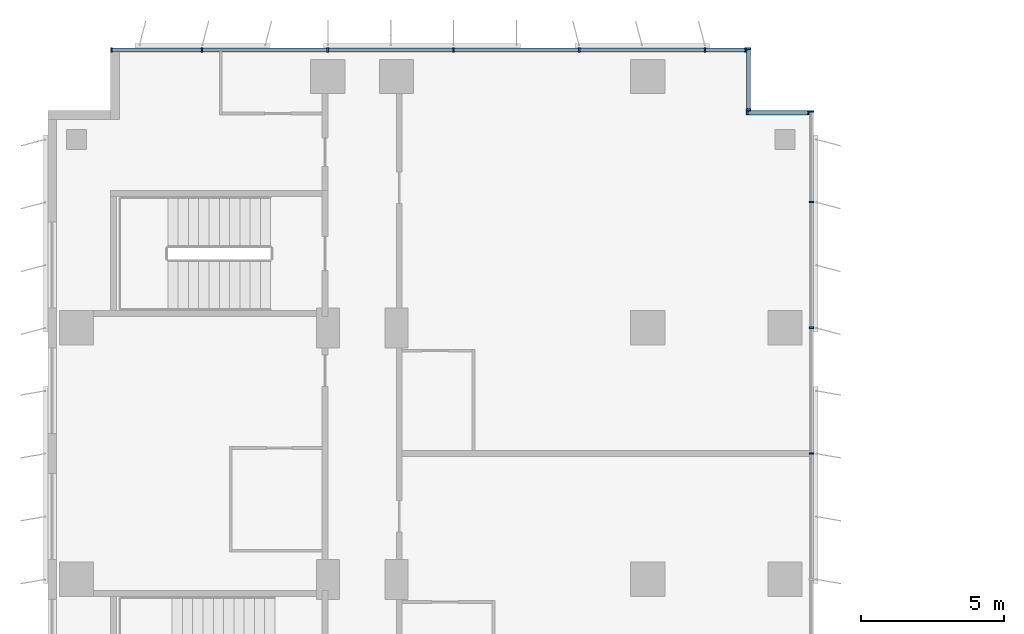
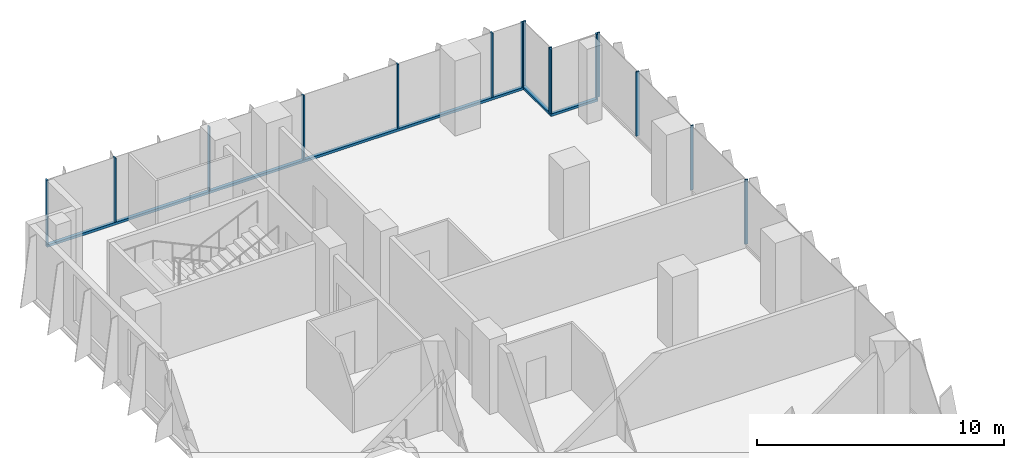
# One storey, part 9 of 22: 18 members, 4 elements without a shape of their own.
"""IFC4 building model written with IfcOpenShell, lengths in metres."""

import ifcopenshell
import ifcopenshell.guid

model = None  # the IFC model being written
_history = None  # IfcOwnerHistory: only IFC2X3 demands one
_inside = {}  # id of a spatial element -> (the spatial element, [elements in it])
_under = {}  # id of a project, library or spatial element -> (it, [spatial elements below it])
_declared = {}  # id of a project -> (the project, [libraries it declares])
_typed = {}  # id of a type object -> (the type object, [elements of that type])
_made_of = {}  # id of a material, layer set ... -> (it, [elements and type objects made of it])


def new_model(schema):
    """Start an empty IFC model of exactly this schema.

    Asked for "IFC4X3", IfcOpenShell would pick the latest addendum, in which some entities
    have other attributes; the version numbers below select the first issue.
    IFC2X3 requires an IfcOwnerHistory on every rooted entity: one is made here for all.
    """
    global model, _history
    if schema == "IFC4X3":
        model = ifcopenshell.file(schema_version=(4, 3, 0, 0))
    else:
        model = ifcopenshell.file(schema=schema)
    _inside.clear()
    _under.clear()
    _declared.clear()
    _typed.clear()
    _made_of.clear()
    _history = None
    if model.schema == "IFC2X3":
        org = make("IfcOrganization", Name="unknown")
        user = make(
            "IfcPersonAndOrganization",
            ThePerson=make("IfcPerson", FamilyName="unknown"),
            TheOrganization=org,
        )
        app = make(
            "IfcApplication",
            ApplicationDeveloper=org,
            Version="unknown",
            ApplicationFullName="unknown",
            ApplicationIdentifier="unknown",
        )
        _history = make(
            "IfcOwnerHistory",
            OwningUser=user,
            OwningApplication=app,
            ChangeAction="ADDED",
            CreationDate=0,
        )
    return model


def make(cls, **values):
    """One entity of the class cls with the attributes given. An attribute that is None is left unset."""
    return model.create_entity(
        cls, **{name: value for name, value in values.items() if value is not None}
    )


def rooted(cls, **values):
    """An entity with a GlobalId (a new one), such as an element, a storey or a relation."""
    return make(cls, GlobalId=ifcopenshell.guid.new(), OwnerHistory=_history, **values)


def si_unit(unit_type, name, prefix=None):
    """IfcSIUnit, for example si_unit("LENGTHUNIT", "METRE", prefix="MILLI")."""
    return make("IfcSIUnit", UnitType=unit_type, Prefix=prefix, Name=name)


def assignment(units):
    """IfcUnitAssignment: the units of a project."""
    return None if units is None else make("IfcUnitAssignment", Units=units)


def point(xyz):
    """IfcCartesianPoint."""
    return None if xyz is None else make("IfcCartesianPoint", Coordinates=xyz)


def direction(xyz):
    """IfcDirection."""
    return None if xyz is None else make("IfcDirection", DirectionRatios=xyz)


def frame(location, z_axis=None, x_axis=None):
    """IfcAxis2Placement3D, a coordinate frame: its origin and axes. An axis left out is left unset."""
    return make(
        "IfcAxis2Placement3D",
        Location=point(location),
        Axis=direction(z_axis),
        RefDirection=direction(x_axis),
    )


def frame_2d(location, x_axis=None):
    """IfcAxis2Placement2D, a coordinate frame in the plane: its origin and x axis."""
    return make(
        "IfcAxis2Placement2D", Location=point(location), RefDirection=direction(x_axis)
    )


def origin():
    """The frame at (0, 0, 0) with its axes left unset."""
    return frame((0.0, 0.0, 0.0))


def origin_2d():
    """The frame at (0, 0) in the plane with its x axis left unset."""
    return frame_2d((0.0, 0.0))


def place(relative_to, where):
    """IfcLocalPlacement: puts the frame where relative to a parent placement (None: the world)."""
    return make(
        "IfcLocalPlacement", PlacementRelTo=relative_to, RelativePlacement=where
    )


def context(
    kind, dimensions, precision=None, world=None, true_north=None, identifier=None
):
    """IfcGeometricRepresentationContext, for example the 3D "Model" context."""
    return make(
        "IfcGeometricRepresentationContext",
        ContextIdentifier=identifier,
        ContextType=kind,
        CoordinateSpaceDimension=dimensions,
        Precision=precision,
        WorldCoordinateSystem=world,
        TrueNorth=true_north,
    )


def subcontext(parent, identifier, kind, view, scale=None):
    """IfcGeometricRepresentationSubContext, for example "Body" below "Model"."""
    return make(
        "IfcGeometricRepresentationSubContext",
        ContextIdentifier=identifier,
        ContextType=kind,
        ParentContext=parent,
        TargetScale=scale,
        TargetView=view,
    )


def project(units=None, contexts=None):
    """IfcProject with its units and contexts."""
    return rooted(
        "IfcProject",
        Name="project",
        RepresentationContexts=contexts,
        UnitsInContext=assignment(units),
    )


def spatial(cls, under=None, at=None, **own):
    """A site, building, storey or space (cls), placed at a placement, below another one or the project."""
    s = rooted(cls, ObjectPlacement=at, **own)
    if under is not None:
        _under.setdefault(under.id(), (under, []))[1].append(s)
    return s


def profile(cls, at=None, kind="AREA", **sizes):
    """A parametric profile (cls). Its sizes go by their IFC names, for example OverallWidth=200.0."""
    return make(cls, ProfileType=kind, Position=at, **sizes)


def rectangle(**sizes):
    """IfcRectangleProfileDef."""
    return profile("IfcRectangleProfileDef", **sizes)


def extrude(swept, where, along, depth):
    """IfcExtrudedAreaSolid: the profile swept, set in the frame where, extruded along a direction by depth."""
    return make(
        "IfcExtrudedAreaSolid",
        SweptArea=swept,
        Position=where,
        ExtrudedDirection=direction(along),
        Depth=depth,
    )


def shape(context_of_items, identifier, shape_type, items):
    """IfcShapeRepresentation: the items that make up one representation, for example the "Body"."""
    return make(
        "IfcShapeRepresentation",
        ContextOfItems=context_of_items,
        RepresentationIdentifier=identifier,
        RepresentationType=shape_type,
        Items=items,
    )


def source(mapping_origin, context_of_items, identifier, shape_type, items):
    """IfcRepresentationMap: a shape defined once, which mapped items show again and again."""
    return make(
        "IfcRepresentationMap",
        MappingOrigin=mapping_origin,
        MappedRepresentation=shape(context_of_items, identifier, shape_type, items),
    )


def transform(
    local_origin,
    x_axis=None,
    y_axis=None,
    z_axis=None,
    scale=None,
    scale2=None,
    scale3=None,
    uniform=True,
):
    """IfcCartesianTransformationOperator3D, or its non-uniform kind. x_axis, y_axis, z_axis: its Axis1, 2, 3."""
    if uniform:
        return make(
            "IfcCartesianTransformationOperator3D",
            Axis1=direction(x_axis),
            Axis2=direction(y_axis),
            LocalOrigin=point(local_origin),
            Scale=scale,
            Axis3=direction(z_axis),
        )
    return make(
        "IfcCartesianTransformationOperator3DnonUniform",
        Axis1=direction(x_axis),
        Axis2=direction(y_axis),
        LocalOrigin=point(local_origin),
        Scale=scale,
        Axis3=direction(z_axis),
        Scale2=scale2,
        Scale3=scale3,
    )


def mapped(mapping_source, mapping_target):
    """IfcMappedItem: shows the shape of a source again, moved by a transform."""
    return make(
        "IfcMappedItem", MappingSource=mapping_source, MappingTarget=mapping_target
    )


def material(Name=None, Category=None):
    """IfcMaterial."""
    return make("IfcMaterial", Name=Name, Category=Category)


def material_profile(
    of_material, cross_section, Name=None, Category=None, Priority=None
):
    """IfcMaterialProfile: a cross section and its material."""
    return make(
        "IfcMaterialProfile",
        Name=Name,
        Material=of_material,
        Profile=cross_section,
        Priority=Priority,
        Category=Category,
    )


def profile_set(profiles, Name=None, composite=None):
    """IfcMaterialProfileSet."""
    return make(
        "IfcMaterialProfileSet",
        Name=Name,
        MaterialProfiles=profiles,
        CompositeProfile=composite,
    )


def made_of(thing, what):
    """Note that an element or type object is made of a material, layer set ...; save() writes the relation."""
    if what is not None:
        _made_of.setdefault(what.id(), (what, []))[1].append(thing)
    return thing


def type_object(cls, material=None, **own):
    """A type object (cls), such as IfcWallType, which elements share."""
    return made_of(rooted(cls, **own), material)


def element(
    cls,
    number,
    at=None,
    inside=None,
    cuts=None,
    type_object=None,
    material=None,
    context=None,
    identifier="Body",
    shape_type=None,
    held_by="IfcProductDefinitionShape",
    body=None,
    shapes=None,
    **own,
):
    """One element of the class cls, such as IfcWall. Its Tag is "e" and its number.

    at: its placement. inside: the storey or other place that contains it. cuts: it is an
    opening in that element (IfcRelVoidsElement). A single representation is given by context,
    identifier, shape_type and body (its items); several are given by shapes. held_by: the class
    of the entity that holds the representations. save() writes the other relations.
    """
    e = rooted(cls, Tag="e%d" % number, ObjectPlacement=at, **own)
    if body is not None:
        shapes = [shape(context, identifier, shape_type, body)]
    if shapes is not None:
        e.Representation = make(held_by, Representations=shapes)
    if inside is not None:
        _inside.setdefault(inside.id(), (inside, []))[1].append(e)
    if cuts is not None:
        rooted(
            "IfcRelVoidsElement", RelatingBuildingElement=cuts, RelatedOpeningElement=e
        )
    if type_object is not None:
        _typed.setdefault(type_object.id(), (type_object, []))[1].append(e)
    return made_of(e, material)


def aggregate(whole, parts):
    """IfcRelAggregates: a whole, such as a stair, and the parts it consists of."""
    return rooted("IfcRelAggregates", RelatingObject=whole, RelatedObjects=parts)


def save(model, path):
    """Write the relations noted so far, then the file.

    IfcRelAggregates (storeys below a building ...), IfcRelContainedInSpatialStructure (elements
    in a storey), IfcRelDefinesByType, IfcRelAssociatesMaterial and IfcRelDeclares: one each for
    every whole, place, type object, material and project.
    """
    for whole, parts in _under.values():
        aggregate(whole, parts)
    for where, things in _inside.values():
        rooted(
            "IfcRelContainedInSpatialStructure",
            RelatedElements=things,
            RelatingStructure=where,
        )
    for kind, things in _typed.values():
        rooted("IfcRelDefinesByType", RelatedObjects=things, RelatingType=kind)
    for what, things in _made_of.values():
        rooted("IfcRelAssociatesMaterial", RelatedObjects=things, RelatingMaterial=what)
    for by, libraries in _declared.values():
        rooted("IfcRelDeclares", RelatingContext=by, RelatedDefinitions=libraries)
    model.write(path)


model = new_model("IFC4")

# Units and contexts
model_context = context("Model", 3, precision=1e-05, world=origin(), true_north=direction((0.0, 1.0)))
body_context = subcontext(model_context, "Body", "Model", "MODEL_VIEW")
ifc_project = project(units=[si_unit("LENGTHUNIT", "METRE"), si_unit("AREAUNIT", "SQUARE_METRE"), si_unit("VOLUMEUNIT", "CUBIC_METRE"), si_unit("PLANEANGLEUNIT", "RADIAN"), si_unit("MASSUNIT", "GRAM", prefix="KILO")], contexts=[model_context])

# Site, building, storey
site_placement = place(None, origin())
site = spatial("IfcSite", under=ifc_project, at=site_placement, CompositionType="ELEMENT")
building_placement = place(site_placement, origin())
building = spatial("IfcBuilding", under=site, at=building_placement, Name="Kemantara Hotel Tower", CompositionType="ELEMENT")
storey_placement = place(building_placement, frame((0.0, 0.0, 98.199951171875)))
storey = spatial("IfcBuildingStorey", under=building, at=storey_placement, Name="L23", CompositionType="ELEMENT", Elevation=98.199951171875)

# Curtain wall, member
ifc_material_1 = material(Name="Low-E tinted double insulated glass 36 mm", Category="glass")
curtain_wall_type = type_object("IfcCurtainWallType", Name="TOWER CURTAIN WALL, FRONT FACES", PredefinedType="USERDEFINED", material=ifc_material_1)
curtain_wall_1_placement = place(storey_placement, origin())
curtain_wall_1 = element("IfcCurtainWall", 1, at=curtain_wall_1_placement, inside=storey, type_object=curtain_wall_type, Name="CW4 L23 T2-R01-1", ObjectType="TOWER CURTAIN WALL, FRONT FACES", PredefinedType="USERDEFINED")
ifc_material_2 = material(Name="Aluminium 6063-T6 bronze anodised", Category="aluminium")
ifc_material_profile_1 = material_profile(ifc_material_2, rectangle(XDim=0.14990234375, YDim=0.1201171875, at=origin_2d()), Name="TOWER CURTAIN WALL, FRONT FACES TRANSOM")
ifc_profile_set_1 = profile_set([ifc_material_profile_1], Name="Aluminium 6063-T6 bronze anodised")
member_type_1 = type_object("IfcMemberType", Name="TOWER CURTAIN WALL, FRONT FACES TRANSOM", PredefinedType="USERDEFINED", material=ifc_profile_set_1)
member_1_placement = place(storey_placement, frame((24.449951171875, 81.125, 0.06005859375), z_axis=(-1.0, 0.0, 0.0), x_axis=(0.0, -1.0, 0.0)))
member_1 = element("IfcMember", 2, at=member_1_placement, type_object=member_type_1, Name="CW4 sill transom T2-R01-1", ObjectType="TRANSOM", PredefinedType="USERDEFINED", context=body_context, shape_type="SweptSolid", body=[
    extrude(rectangle(XDim=0.14990234375, YDim=0.1201171875, at=origin_2d()), origin(), (0.0, 0.0, 1.0), 22.25),
])

curtain_wall_2_placement = place(storey_placement, origin())
curtain_wall_2 = element("IfcCurtainWall", 3, at=curtain_wall_2_placement, inside=storey, type_object=curtain_wall_type, Name="CW4 L23 T2-R00-1", ObjectType="TOWER CURTAIN WALL, FRONT FACES", PredefinedType="USERDEFINED")
member_2_placement = place(storey_placement, frame((24.52490234375, 79.0, 0.06005859375), z_axis=(0.0, 1.0, 0.0), x_axis=(-1.0, 0.0, 0.0)))
member_2 = element("IfcMember", 4, at=member_2_placement, type_object=member_type_1, Name="CW4 sill transom T2-R00-1", ObjectType="TRANSOM", PredefinedType="USERDEFINED", context=body_context, shape_type="SweptSolid", body=[
    extrude(rectangle(XDim=0.14990234375, YDim=0.1201171875, at=origin_2d()), origin(), (0.0, 0.0, 1.0), 2.199951171875),
])

curtain_wall_3_placement = place(storey_placement, origin())
curtain_wall_3 = element("IfcCurtainWall", 5, at=curtain_wall_3_placement, inside=storey, type_object=curtain_wall_type, Name="CW4 L23 T2-R15-1", ObjectType="TOWER CURTAIN WALL, FRONT FACES", PredefinedType="USERDEFINED")
member_3_placement = place(storey_placement, frame((26.64990234375, 78.925048828125, 0.06005859375), z_axis=(-1.0, 0.0, 0.0), x_axis=(0.0, -1.0, 0.0)))
member_3 = element("IfcMember", 6, at=member_3_placement, type_object=member_type_1, Name="CW4 sill transom T2-R15-1", ObjectType="TRANSOM", PredefinedType="USERDEFINED", context=body_context, shape_type="SweptSolid", body=[
    extrude(rectangle(XDim=0.14990234375, YDim=0.1201171875, at=origin_2d()), origin(), (0.0, 0.0, 1.0), 2.199951171875),
])

# Member
ifc_material_profile_2 = material_profile(ifc_material_2, rectangle(XDim=0.14990234375, YDim=0.06005859375, at=origin_2d()), Name="TOWER CURTAIN WALL, FRONT FACES MULLION")
ifc_profile_set_2 = profile_set([ifc_material_profile_2], Name="Aluminium 6063-T6 bronze anodised")
member_type_2 = type_object("IfcMemberType", Name="TOWER CURTAIN WALL, FRONT FACES MULLION", PredefinedType="MULLION", material=ifc_profile_set_2)
shared_shape = source(origin(), body_context, "Body", "SweptSolid", [
    extrude(rectangle(XDim=0.14990234375, YDim=0.06005859375, at=origin_2d()), origin(), (0.0, 0.0, 1.0), 3.179931640625),
])
member_4_placement = place(storey_placement, frame((24.419921875, 81.125, 0.1201171875), z_axis=(0.0, 0.0, 1.0), x_axis=(0.0, -1.0, 0.0)))
member_4 = element("IfcMember", 7, at=member_4_placement, type_object=member_type_2, Name="CW4 mullion T2-R01-1.1", PredefinedType="MULLION", context=body_context, shape_type="MappedRepresentation", body=[
    mapped(shared_shape, transform((0.0, 0.0, 0.0))),
])

member_5_placement = place(storey_placement, frame((23.0, 81.125, 0.1201171875), z_axis=(0.0, 0.0, 1.0), x_axis=(0.0, -1.0, 0.0)))
member_5 = element("IfcMember", 8, at=member_5_placement, type_object=member_type_2, Name="CW4 mullion T2-R01-1.2", PredefinedType="MULLION", context=body_context, shape_type="MappedRepresentation", body=[
    mapped(shared_shape, transform((0.0, 0.0, 0.0))),
])

member_6_placement = place(storey_placement, frame((18.60009765625, 81.125, 0.1201171875), z_axis=(0.0, 0.0, 1.0), x_axis=(0.0, -1.0, 0.0)))
member_6 = element("IfcMember", 9, at=member_6_placement, type_object=member_type_2, Name="CW4 mullion T2-R01-1.3", PredefinedType="MULLION", context=body_context, shape_type="MappedRepresentation", body=[
    mapped(shared_shape, transform((0.0, 0.0, 0.0))),
])

member_7_placement = place(storey_placement, frame((14.199951171875, 81.125, 0.1201171875), z_axis=(0.0, 0.0, 1.0), x_axis=(0.0, -1.0, 0.0)))
member_7 = element("IfcMember", 10, at=member_7_placement, type_object=member_type_2, Name="CW4 mullion T2-R01-1.4", PredefinedType="MULLION", context=body_context, shape_type="MappedRepresentation", body=[
    mapped(shared_shape, transform((0.0, 0.0, 0.0))),
])

member_8_placement = place(storey_placement, frame((9.800048828125, 81.125, 0.1201171875), z_axis=(0.0, 0.0, 1.0), x_axis=(0.0, -1.0, 0.0)))
member_8 = element("IfcMember", 11, at=member_8_placement, type_object=member_type_2, Name="CW4 mullion T2-R01-1.5", PredefinedType="MULLION", context=body_context, shape_type="MappedRepresentation", body=[
    mapped(shared_shape, transform((0.0, 0.0, 0.0))),
])

member_9_placement = place(storey_placement, frame((5.39990234375, 81.125, 0.1201171875), z_axis=(0.0, 0.0, 1.0), x_axis=(0.0, -1.0, 0.0)))
member_9 = element("IfcMember", 12, at=member_9_placement, type_object=member_type_2, Name="CW4 mullion T2-R01-1.6", PredefinedType="MULLION", context=body_context, shape_type="MappedRepresentation", body=[
    mapped(shared_shape, transform((0.0, 0.0, 0.0))),
])

member_10_placement = place(storey_placement, frame((2.22998046875, 81.125, 0.1201171875), z_axis=(0.0, 0.0, 1.0), x_axis=(0.0, -1.0, 0.0)))
member_10 = element("IfcMember", 13, at=member_10_placement, type_object=member_type_2, Name="CW4 mullion T2-R01-1.7", PredefinedType="MULLION", context=body_context, shape_type="MappedRepresentation", body=[
    mapped(shared_shape, transform((0.0, 0.0, 0.0))),
])

aggregate(curtain_wall_1, [member_1, member_4, member_5, member_6, member_7, member_8, member_9, member_10])

# Curtain wall, members
curtain_wall_4_placement = place(storey_placement, origin())
curtain_wall_4 = element("IfcCurtainWall", 14, at=curtain_wall_4_placement, inside=storey, type_object=curtain_wall_type, Name="CW4 L23 T2-R14-1", ObjectType="TOWER CURTAIN WALL, FRONT FACES", PredefinedType="USERDEFINED")
member_11_placement = place(storey_placement, frame((26.72509765625, 67.0, 0.1201171875), z_axis=(0.0, 0.0, 1.0), x_axis=(-1.0, 0.0, 0.0)))
member_11 = element("IfcMember", 15, at=member_11_placement, type_object=member_type_2, Name="CW4 mullion T2-R14-1.12", PredefinedType="MULLION", context=body_context, shape_type="MappedRepresentation", body=[
    mapped(shared_shape, transform((0.0, 0.0, 0.0))),
])
member_12_placement = place(storey_placement, frame((26.72509765625, 71.39990234375, 0.1201171875), z_axis=(0.0, 0.0, 1.0), x_axis=(-1.0, 0.0, 0.0)))
member_12 = element("IfcMember", 16, at=member_12_placement, type_object=member_type_2, Name="CW4 mullion T2-R14-1.13", PredefinedType="MULLION", context=body_context, shape_type="MappedRepresentation", body=[
    mapped(shared_shape, transform((0.0, 0.0, 0.0))),
])
member_13_placement = place(storey_placement, frame((26.72509765625, 75.800048828125, 0.1201171875), z_axis=(0.0, 0.0, 1.0), x_axis=(-1.0, 0.0, 0.0)))
member_13 = element("IfcMember", 17, at=member_13_placement, type_object=member_type_2, Name="CW4 mullion T2-R14-1.14", PredefinedType="MULLION", context=body_context, shape_type="MappedRepresentation", body=[
    mapped(shared_shape, transform((0.0, 0.0, 0.0))),
])
member_14_placement = place(storey_placement, frame((26.72509765625, 78.969970703125, 0.1201171875), z_axis=(0.0, 0.0, 1.0), x_axis=(-1.0, 0.0, 0.0)))
member_14 = element("IfcMember", 18, at=member_14_placement, type_object=member_type_2, Name="CW4 mullion T2-R14-1.15", PredefinedType="MULLION", context=body_context, shape_type="MappedRepresentation", body=[
    mapped(shared_shape, transform((0.0, 0.0, 0.0))),
])
aggregate(curtain_wall_4, [member_11, member_12, member_13, member_14])

# Member
member_15_placement = place(storey_placement, frame((24.52490234375, 79.030029296875, 0.1201171875), z_axis=(0.0, 0.0, 1.0), x_axis=(-1.0, 0.0, 0.0)))
member_15 = element("IfcMember", 19, at=member_15_placement, type_object=member_type_2, Name="CW4 mullion T2-R00-1.1", PredefinedType="MULLION", context=body_context, shape_type="MappedRepresentation", body=[
    mapped(shared_shape, transform((0.0, 0.0, 0.0))),
])

member_16_placement = place(storey_placement, frame((24.52490234375, 81.169921875, 0.1201171875), z_axis=(0.0, 0.0, 1.0), x_axis=(-1.0, 0.0, 0.0)))
member_16 = element("IfcMember", 20, at=member_16_placement, type_object=member_type_2, Name="CW4 mullion T2-R00-1.2", PredefinedType="MULLION", context=body_context, shape_type="MappedRepresentation", body=[
    mapped(shared_shape, transform((0.0, 0.0, 0.0))),
])

aggregate(curtain_wall_2, [member_2, member_15, member_16])

member_17_placement = place(storey_placement, frame((26.6201171875, 78.925048828125, 0.1201171875), z_axis=(0.0, 0.0, 1.0), x_axis=(0.0, -1.0, 0.0)))
member_17 = element("IfcMember", 21, at=member_17_placement, type_object=member_type_2, Name="CW4 mullion T2-R15-1.1", PredefinedType="MULLION", context=body_context, shape_type="MappedRepresentation", body=[
    mapped(shared_shape, transform((0.0, 0.0, 0.0))),
])

member_18_placement = place(storey_placement, frame((24.47998046875, 78.925048828125, 0.1201171875), z_axis=(0.0, 0.0, 1.0), x_axis=(0.0, -1.0, 0.0)))
member_18 = element("IfcMember", 22, at=member_18_placement, type_object=member_type_2, Name="CW4 mullion T2-R15-1.2", PredefinedType="MULLION", context=body_context, shape_type="MappedRepresentation", body=[
    mapped(shared_shape, transform((0.0, 0.0, 0.0))),
])

aggregate(curtain_wall_3, [member_3, member_17, member_18])

save(model, "model.ifc")
